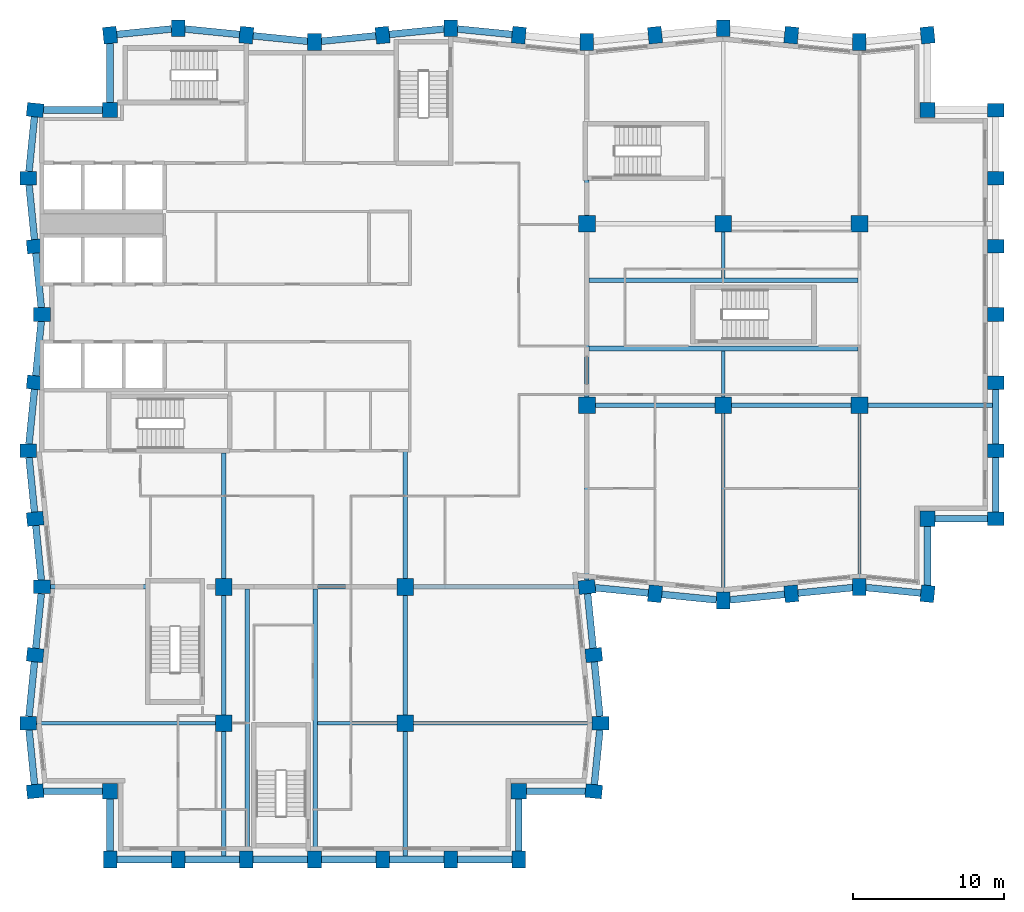
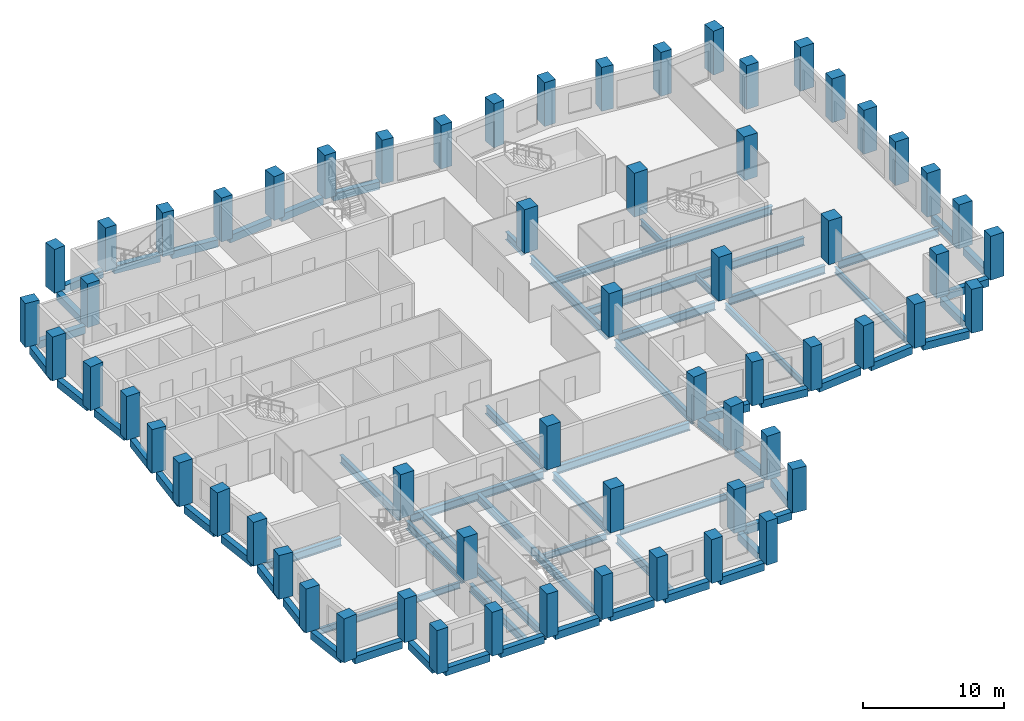
# One storey, part 1 of 10: 66 beams, 62 columns.
"""IFC4 building model written with IfcOpenShell, lengths in metres."""

from ifc_helpers import new_model, si_unit, direction, frame, origin, origin_2d, place, context, subcontext, project, spatial, rectangle, i_section, extrude, material, material_profile, profile_set, type_object, element, save


model = new_model("IFC4")

# Units and contexts
model_context = context("Model", 3, precision=1e-05, world=origin(), true_north=direction((0.0, 1.0)))
body_context = subcontext(model_context, "Body", "Model", "MODEL_VIEW")
ifc_project = project(units=[si_unit("LENGTHUNIT", "METRE"), si_unit("AREAUNIT", "SQUARE_METRE"), si_unit("VOLUMEUNIT", "CUBIC_METRE"), si_unit("PLANEANGLEUNIT", "RADIAN"), si_unit("MASSUNIT", "GRAM", prefix="KILO")], contexts=[model_context])

# Site, building, storey
site_placement = place(None, origin())
site = spatial("IfcSite", under=ifc_project, at=site_placement, CompositionType="ELEMENT")
building_placement = place(site_placement, origin())
building = spatial("IfcBuilding", under=site, at=building_placement, Name="Brondeck Convention Tower", CompositionType="ELEMENT")
storey_placement = place(building_placement, frame((0.0, 0.0, 173.800048828125)))
storey = spatial("IfcBuildingStorey", under=building, at=storey_placement, Name="L42", CompositionType="ELEMENT", Elevation=173.800048828125)

# Columns
ifc_material_1 = material(Name="Concrete C70/85", Category="concrete")
ifc_material_profile_1 = material_profile(ifc_material_1, rectangle(XDim=1.0, YDim=1.0, at=origin_2d()), Name="Corner column 1000x1000 Concrete C70/85")
ifc_profile_set_1 = profile_set([ifc_material_profile_1], Name="Concrete C70/85")
column_type_1 = type_object("IfcColumnType", Name="Corner column 1000x1000 Concrete C70/85", PredefinedType="COLUMN", material=ifc_profile_set_1)
for number, where, z_axis, x_axis, name in (
    (1, (4.5, 13.5, 0.0), (0.0, 0.0, 1.0), (1.0, 0.0, 0.0), "STR-COL-L42-NC-SWB9"),
    (2, (31.5, 13.5, 0.0), (0.0, 0.0, 1.0), (1.0, 0.0, 0.0), "STR-COL-L42-NC-SEB9"),
    (3, (58.5, 31.5, 0.0), (0.0, 0.0, 1.0), (1.0, 0.0, 0.0), "STR-COL-L42-NC-SEA63"),
    (4, (58.5, 58.5, 0.0), (0.0, 0.0, 1.0), (1.0, 0.0, 0.0), "STR-COL-L42-NC-NEA63"),
    (5, (4.5, 58.5, 0.0), (0.0, 0.0, 1.0), (1.0, 0.0, 0.0), "STR-COL-L42-NC-NW"),
):
    element("IfcColumn", number, at=place(storey_placement, frame(where, z_axis=z_axis, x_axis=x_axis)), inside=storey, type_object=column_type_1, Name=name, PredefinedType="COLUMN", context=body_context, shape_type="SweptSolid", body=[
        extrude(rectangle(XDim=1.0, YDim=1.0, at=origin_2d()), origin(), (0.0, 0.0, 1.0), 3.800048828125),
    ])
ifc_material_profile_2 = material_profile(ifc_material_1, rectangle(XDim=1.10009765625, YDim=1.10009765625, at=origin_2d()), Name="Interior column 1100x1100 Concrete C70/85")
ifc_profile_set_2 = profile_set([ifc_material_profile_2], Name="Concrete C70/85")
column_type_2 = type_object("IfcColumnType", Name="Interior column 1100x1100 Concrete C70/85", PredefinedType="COLUMN", material=ifc_profile_set_2)
for number, where, z_axis, x_axis, name in (
    (6, (12.0, 18.0, 0.0), (0.0, 0.0, 1.0), (1.0, 0.0, 0.0), "STR-COL-L42-IC-02"),
    (7, (12.0, 27.0, 0.0), (0.0, 0.0, 1.0), (1.0, 0.0, 0.0), "STR-COL-L42-IC-03"),
    (8, (24.0, 18.0, 0.0), (0.0, 0.0, 1.0), (1.0, 0.0, 0.0), "STR-COL-L42-IC-05"),
    (9, (24.0, 27.0, 0.0), (0.0, 0.0, 1.0), (1.0, 0.0, 0.0), "STR-COL-L42-IC-06"),
    (10, (36.0, 39.0, 0.0), (0.0, 0.0, 1.0), (1.0, 0.0, 0.0), "STR-COL-L42-IC-07"),
    (11, (36.0, 51.0, 0.0), (0.0, 0.0, 1.0), (1.0, 0.0, 0.0), "STR-COL-L42-IC-08"),
    (12, (45.0, 39.0, 0.0), (0.0, 0.0, 1.0), (1.0, 0.0, 0.0), "STR-COL-L42-IC-09"),
    (13, (45.0, 51.0, 0.0), (0.0, 0.0, 1.0), (1.0, 0.0, 0.0), "STR-COL-L42-IC-10"),
    (14, (54.0, 39.0, 0.0), (0.0, 0.0, 1.0), (1.0, 0.0, 0.0), "STR-COL-L42-IC-11"),
    (15, (54.0, 51.0, 0.0), (0.0, 0.0, 1.0), (1.0, 0.0, 0.0), "STR-COL-L42-IC-12"),
):
    element("IfcColumn", number, at=place(storey_placement, frame(where, z_axis=z_axis, x_axis=x_axis)), inside=storey, type_object=column_type_2, Name=name, PredefinedType="COLUMN", context=body_context, shape_type="SweptSolid", body=[
        extrude(rectangle(XDim=1.10009765625, YDim=1.10009765625, at=origin_2d()), origin(), (0.0, 0.0, 1.0), 3.800048828125),
    ])
ifc_material_profile_3 = material_profile(ifc_material_1, rectangle(XDim=0.89990234375, YDim=1.10009765625, at=origin_2d()), Name="Perimeter pier 900x1100 Concrete C70/85")
ifc_profile_set_3 = profile_set([ifc_material_profile_3], Name="Concrete C70/85")
column_type_3 = type_object("IfcColumnType", Name="Perimeter pier 900x1100 Concrete C70/85", PredefinedType="COLUMN", material=ifc_profile_set_3)
for number, where, z_axis, x_axis, name in (
    (16, (4.5, 9.0, 0.0), (0.0, 0.0, 1.0), (1.0, 0.0, 0.0), "STR-COL-L42-PC-B-S9-01"),
    (17, (9.0, 9.0, 0.0), (0.0, 0.0, 1.0), (1.0, 0.0, 0.0), "STR-COL-L42-PC-B-S9-02"),
    (18, (13.5, 9.0, 0.0), (0.0, 0.0, 1.0), (1.0, 0.0, 0.0), "STR-COL-L42-PC-B-S9-03"),
    (19, (18.0, 9.0, 0.0), (0.0, 0.0, 1.0), (1.0, 0.0, 0.0), "STR-COL-L42-PC-B-S9-04"),
    (20, (22.5, 9.0, 0.0), (0.0, 0.0, 1.0), (1.0, 0.0, 0.0), "STR-COL-L42-PC-B-S9-05"),
    (21, (27.0, 9.0, 0.0), (0.0, 0.0, 1.0), (1.0, 0.0, 0.0), "STR-COL-L42-PC-B-S9-06"),
    (22, (31.5, 9.0, 0.0), (0.0, 0.0, 1.0), (1.0, 0.0, 0.0), "STR-COL-L42-PC-B-S9-07"),
    (23, (36.449951171875, 13.5, 0.0), (0.0, 0.0, 1.0), (0.0995038382, 0.995037178292, 0.0), "STR-COL-L42-PC-B-E-03"),
    (24, (36.89990234375, 18.0, 0.0), (0.0, 0.0, 1.0), (0.0, 1.0, 0.0), "STR-COL-L42-PC-B-E-02"),
    (25, (36.449951171875, 22.5, 0.0), (0.0, 0.0, 1.0), (-0.0995038382, 0.995037178292, 0.0), "STR-COL-L42-PC-B-E-01"),
    (26, (36.0, 27.0, 0.0), (0.0, 0.0, 1.0), (-0.0995038382, 0.995037178292, 0.0), "STR-COL-L42-PC-B-E-00"),
    (27, (40.5, 26.550048828125, 0.0), (0.0, 0.0, 1.0), (0.995037178292, -0.0995038382, 0.0), "STR-COL-L42-PC-A-S-01"),
    (28, (45.0, 26.10009765625, 0.0), (0.0, 0.0, 1.0), (1.0, 0.0, 0.0), "STR-COL-L42-PC-A-S-02"),
    (29, (49.5, 26.550048828125, 0.0), (0.0, 0.0, 1.0), (0.995037178292, 0.0995038382, 0.0), "STR-COL-L42-PC-A-S-03"),
    (30, (54.0, 27.0, 0.0), (0.0, 0.0, 1.0), (1.0, 0.0, 0.0), "STR-COL-L42-PC-A-S-04"),
    (31, (58.5, 26.550048828125, 0.0), (0.0, 0.0, 1.0), (0.995037178292, -0.0995038382, 0.0), "STR-COL-L42-PC-A-S-05"),
    (32, (63.0, 31.5, 0.0), (0.0, 0.0, 1.0), (0.0, 1.0, 0.0), "STR-COL-L42-PC-A-E63-01"),
    (33, (63.0, 36.0, 0.0), (0.0, 0.0, 1.0), (0.0, 1.0, 0.0), "STR-COL-L42-PC-A-E63-02"),
    (34, (63.0, 40.5, 0.0), (0.0, 0.0, 1.0), (0.0, 1.0, 0.0), "STR-COL-L42-PC-A-E63-03"),
    (35, (63.0, 45.0, 0.0), (0.0, 0.0, 1.0), (0.0, 1.0, 0.0), "STR-COL-L42-PC-A-E63-04"),
    (36, (63.0, 49.5, 0.0), (0.0, 0.0, 1.0), (0.0, 1.0, 0.0), "STR-COL-L42-PC-A-E63-05"),
    (37, (63.0, 54.0, 0.0), (0.0, 0.0, 1.0), (0.0, 1.0, 0.0), "STR-COL-L42-PC-A-E63-06"),
    (38, (63.0, 58.5, 0.0), (0.0, 0.0, 1.0), (0.0, 1.0, 0.0), "STR-COL-L42-PC-A-E63-07"),
    (39, (58.5, 63.449951171875, 0.0), (0.0, 0.0, 1.0), (-0.995037178292, -0.0995038382, 0.0), "STR-COL-L42-PC-A-N-13"),
    (40, (54.0, 63.0, 0.0), (0.0, 0.0, 1.0), (-1.0, 0.0, 0.0), "STR-COL-L42-PC-A-N-12"),
    (41, (49.5, 63.449951171875, 0.0), (0.0, 0.0, 1.0), (-0.995037178292, 0.0995038382, 0.0), "STR-COL-L42-PC-A-N-11"),
    (42, (45.0, 63.89990234375, 0.0), (0.0, 0.0, 1.0), (-1.0, 0.0, 0.0), "STR-COL-L42-PC-A-N-10"),
    (43, (40.5, 63.449951171875, 0.0), (0.0, 0.0, 1.0), (-0.995037178292, -0.0995038382, 0.0), "STR-COL-L42-PC-A-N-09"),
    (44, (36.0, 63.0, 0.0), (0.0, 0.0, 1.0), (-1.0, 0.0, 0.0), "STR-COL-L42-PC-A-N-08"),
    (45, (31.5, 63.449951171875, 0.0), (0.0, 0.0, 1.0), (-0.995037178292, 0.0995038382, 0.0), "STR-COL-L42-PC-A-N-07"),
    (46, (27.0, 63.89990234375, 0.0), (0.0, 0.0, 1.0), (-1.0, 0.0, 0.0), "STR-COL-L42-PC-A-N-06"),
    (47, (22.5, 63.449951171875, 0.0), (0.0, 0.0, 1.0), (-0.995037178292, -0.0995038382, 0.0), "STR-COL-L42-PC-A-N-05"),
    (48, (18.0, 63.0, 0.0), (0.0, 0.0, 1.0), (-1.0, 0.0, 0.0), "STR-COL-L42-PC-A-N-04"),
    (49, (13.5, 63.449951171875, 0.0), (0.0, 0.0, 1.0), (-0.995037178292, 0.0995038382, 0.0), "STR-COL-L42-PC-A-N-03"),
    (50, (9.0, 63.89990234375, 0.0), (0.0, 0.0, 1.0), (-1.0, 0.0, 0.0), "STR-COL-L42-PC-A-N-02"),
    (51, (4.5, 63.449951171875, 0.0), (0.0, 0.0, 1.0), (-0.995037178292, -0.0995038382, 0.0), "STR-COL-L42-PC-A-N-01"),
    (52, (-0.449951171875, 58.5, 0.0), (0.0, 0.0, 1.0), (-0.0995038382, -0.995037178292, 0.0), "STR-COL-L42-PC-B-W-01"),
    (53, (-0.89990234375, 54.0, 0.0), (0.0, 0.0, 1.0), (0.0, -1.0, 0.0), "STR-COL-L42-PC-B-W-02"),
    (54, (-0.449951171875, 49.5, 0.0), (0.0, 0.0, 1.0), (0.0995038382, -0.995037178292, 0.0), "STR-COL-L42-PC-B-W-03"),
    (55, (0.0, 45.0, 0.0), (0.0, 0.0, 1.0), (0.0, -1.0, 0.0), "STR-COL-L42-PC-B-W-04"),
    (56, (-0.449951171875, 40.5, 0.0), (0.0, 0.0, 1.0), (-0.0995038382, -0.995037178292, 0.0), "STR-COL-L42-PC-B-W-05"),
    (57, (-0.89990234375, 36.0, 0.0), (0.0, 0.0, 1.0), (0.0, -1.0, 0.0), "STR-COL-L42-PC-B-W-06"),
    (58, (-0.449951171875, 31.5, 0.0), (0.0, 0.0, 1.0), (0.0995038382, -0.995037178292, 0.0), "STR-COL-L42-PC-B-W-07"),
    (59, (0.0, 27.0, 0.0), (0.0, 0.0, 1.0), (0.0, -1.0, 0.0), "STR-COL-L42-PC-B-W-08"),
    (60, (-0.449951171875, 22.5, 0.0), (0.0, 0.0, 1.0), (-0.0995038382, -0.995037178292, 0.0), "STR-COL-L42-PC-B-W-09"),
    (61, (-0.89990234375, 18.0, 0.0), (0.0, 0.0, 1.0), (0.0, -1.0, 0.0), "STR-COL-L42-PC-B-W-10"),
    (62, (-0.449951171875, 13.5, 0.0), (0.0, 0.0, 1.0), (0.0995038382, -0.995037178292, 0.0), "STR-COL-L42-PC-B-W-11"),
):
    element("IfcColumn", number, at=place(storey_placement, frame(where, z_axis=z_axis, x_axis=x_axis)), inside=storey, type_object=column_type_3, Name=name, PredefinedType="COLUMN", context=body_context, shape_type="SweptSolid", body=[
        extrude(rectangle(XDim=0.89990234375, YDim=1.10009765625, at=origin_2d()), origin(), (0.0, 0.0, 1.0), 3.800048828125),
    ])

# Beams
ifc_material_2 = material(Name="Steel S355", Category="steel")
ifc_material_profile_4 = material_profile(ifc_material_2, i_section(OverallWidth=0.2099609375, OverallDepth=0.550048828125, WebThickness=0.010986328125, FlangeThickness=0.01708984375, FilletRadius=0.02392578125, at=origin_2d()), Name="IPE 550")
ifc_profile_set_4 = profile_set([ifc_material_profile_4], Name="Steel S355")
beam_type_1 = type_object("IfcBeamType", Name="Floor beam IPE 550", PredefinedType="BEAM", material=ifc_profile_set_4)
beam_1_placement = place(storey_placement, frame((45.0, 26.64990234375, -0.574951171875), z_axis=(0.0, 1.0, 0.0), x_axis=(-1.0, 0.0, 0.0)))
element("IfcBeam", 63, at=beam_1_placement, inside=storey, type_object=beam_type_1, Name="STR-FB-L42-001", PredefinedType="BEAM", context=body_context, shape_type="SweptSolid", body=[
    extrude(i_section(OverallWidth=0.2099609375, OverallDepth=0.550048828125, WebThickness=0.010986328125, FlangeThickness=0.01708984375, FilletRadius=0.02392578125, at=origin_2d()), origin(), (0.0, 0.0, 1.0), 11.800048828125),
])
beam_2_placement = place(storey_placement, frame((54.0, 27.550048828125, -0.574951171875), z_axis=(0.0, 1.0, 0.0), x_axis=(-1.0, 0.0, 0.0)))
element("IfcBeam", 64, at=beam_2_placement, inside=storey, type_object=beam_type_1, Name="STR-FB-L42-003", PredefinedType="BEAM", context=body_context, shape_type="SweptSolid", body=[
    extrude(i_section(OverallWidth=0.2099609375, OverallDepth=0.550048828125, WebThickness=0.010986328125, FlangeThickness=0.01708984375, FilletRadius=0.02392578125, at=origin_2d()), origin(), (0.0, 0.0, 1.0), 10.89990234375),
])
for number, where, z_axis, x_axis, name in (
    (65, (-0.35009765625, 18.0, -0.574951171875), (1.0, 0.0, 0.0), (0.0, 1.0, 0.0), "STR-FB-L42-006"),
    (66, (24.550048828125, 18.0, -0.574951171875), (1.0, 0.0, 0.0), (0.0, 1.0, 0.0), "STR-FB-L42-007"),
):
    element("IfcBeam", number, at=place(storey_placement, frame(where, z_axis=z_axis, x_axis=x_axis)), inside=storey, type_object=beam_type_1, Name=name, PredefinedType="BEAM", context=body_context, shape_type="SweptSolid", body=[
        extrude(i_section(OverallWidth=0.2099609375, OverallDepth=0.550048828125, WebThickness=0.010986328125, FlangeThickness=0.01708984375, FilletRadius=0.02392578125, at=origin_2d()), origin(), (0.0, 0.0, 1.0), 11.800048828125),
    ])
for number, where, z_axis, x_axis, name in (
    (67, (45.0, 39.550048828125, -0.574951171875), (0.0, 1.0, 0.0), (-1.0, 0.0, 0.0), "STR-FB-L42-008"),
    (68, (45.0, 47.39990234375, -0.574951171875), (0.0, 1.0, 0.0), (-1.0, 0.0, 0.0), "STR-FB-L42-009"),
):
    element("IfcBeam", number, at=place(storey_placement, frame(where, z_axis=z_axis, x_axis=x_axis)), inside=storey, type_object=beam_type_1, Name=name, PredefinedType="BEAM", context=body_context, shape_type="SweptSolid", body=[
        extrude(i_section(OverallWidth=0.2099609375, OverallDepth=0.550048828125, WebThickness=0.010986328125, FlangeThickness=0.01708984375, FilletRadius=0.02392578125, at=origin_2d()), origin(), (0.0, 0.0, 1.0), 3.050048828125),
    ])
beam_3_placement = place(storey_placement, frame((18.199951171875, 18.0, -0.574951171875), z_axis=(1.0, 0.0, 0.0), x_axis=(0.0, 1.0, 0.0)))
element("IfcBeam", 69, at=beam_3_placement, inside=storey, type_object=beam_type_1, Name="STR-FB-L42-010", PredefinedType="BEAM", context=body_context, shape_type="SweptSolid", body=[
    extrude(i_section(OverallWidth=0.2099609375, OverallDepth=0.550048828125, WebThickness=0.010986328125, FlangeThickness=0.01708984375, FilletRadius=0.02392578125, at=origin_2d()), origin(), (0.0, 0.0, 1.0), 5.25),
])
ifc_material_profile_5 = material_profile(ifc_material_2, i_section(OverallWidth=0.300048828125, OverallDepth=0.699951171875, WebThickness=0.01708984375, FlangeThickness=0.031982421875, FilletRadius=0.027099609375, at=origin_2d()), Name="HEB 700")
ifc_profile_set_5 = profile_set([ifc_material_profile_5], Name="Steel S355")
beam_type_2 = type_object("IfcBeamType", Name="Girder HEB 700", PredefinedType="BEAM", material=ifc_profile_set_5)
for number, where, z_axis, x_axis, name in (
    (70, (36.550048828125, 39.0, -0.650146484375), (1.0, 0.0, 0.0), (0.0, 1.0, 0.0), "STR-GR-L42-001"),
    (71, (45.550048828125, 39.0, -0.650146484375), (1.0, 0.0, 0.0), (0.0, 1.0, 0.0), "STR-GR-L42-002"),
):
    element("IfcBeam", number, at=place(storey_placement, frame(where, z_axis=z_axis, x_axis=x_axis)), inside=storey, type_object=beam_type_2, Name=name, PredefinedType="BEAM", context=body_context, shape_type="SweptSolid", body=[
        extrude(i_section(OverallWidth=0.300048828125, OverallDepth=0.699951171875, WebThickness=0.01708984375, FlangeThickness=0.031982421875, FilletRadius=0.027099609375, at=origin_2d()), origin(), (0.0, 0.0, 1.0), 7.89990234375),
    ])
beam_4_placement = place(storey_placement, frame((54.550048828125, 39.0, -0.650146484375), z_axis=(1.0, 0.0, 0.0), x_axis=(0.0, 1.0, 0.0)))
element("IfcBeam", 72, at=beam_4_placement, inside=storey, type_object=beam_type_2, Name="STR-GR-L42-003", PredefinedType="BEAM", context=body_context, shape_type="SweptSolid", body=[
    extrude(i_section(OverallWidth=0.300048828125, OverallDepth=0.699951171875, WebThickness=0.01708984375, FlangeThickness=0.031982421875, FilletRadius=0.027099609375, at=origin_2d()), origin(), (0.0, 0.0, 1.0), 8.224853515625),
])
beam_5_placement = place(storey_placement, frame((36.0, 27.4521484375, -0.650146484375), z_axis=(0.0, 1.0, 0.0), x_axis=(-1.0, 0.0, 0.0)))
element("IfcBeam", 73, at=beam_5_placement, inside=storey, type_object=beam_type_2, Name="STR-GR-L42-007", PredefinedType="BEAM", context=body_context, shape_type="SweptSolid", body=[
    extrude(i_section(OverallWidth=0.300048828125, OverallDepth=0.699951171875, WebThickness=0.01708984375, FlangeThickness=0.031982421875, FilletRadius=0.027099609375, at=origin_2d()), origin(), (0.0, 0.0, 1.0), 10.997802734375),
])
beam_6_placement = place(storey_placement, frame((36.0, 39.550048828125, -0.650146484375), z_axis=(0.0, 1.0, 0.0), x_axis=(-1.0, 0.0, 0.0)))
element("IfcBeam", 74, at=beam_6_placement, inside=storey, type_object=beam_type_2, Name="STR-GR-L42-008", PredefinedType="BEAM", context=body_context, shape_type="SweptSolid", body=[
    extrude(i_section(OverallWidth=0.300048828125, OverallDepth=0.699951171875, WebThickness=0.01708984375, FlangeThickness=0.031982421875, FilletRadius=0.027099609375, at=origin_2d()), origin(), (0.0, 0.0, 1.0), 10.89990234375),
])
beam_7_placement = place(storey_placement, frame((36.0, 51.550048828125, -0.650146484375), z_axis=(0.0, 1.0, 0.0), x_axis=(-1.0, 0.0, 0.0)))
element("IfcBeam", 75, at=beam_7_placement, inside=storey, type_object=beam_type_2, Name="STR-GR-L42-009", PredefinedType="BEAM", context=body_context, shape_type="SweptSolid", body=[
    extrude(i_section(OverallWidth=0.300048828125, OverallDepth=0.699951171875, WebThickness=0.01708984375, FlangeThickness=0.031982421875, FilletRadius=0.027099609375, at=origin_2d()), origin(), (0.0, 0.0, 1.0), 2.329833984375),
])
beam_8_placement = place(storey_placement, frame((12.0, 35.85009765625, -0.650146484375), z_axis=(0.0, -1.0, 0.0), x_axis=(1.0, 0.0, 0.0)))
element("IfcBeam", 76, at=beam_8_placement, inside=storey, type_object=beam_type_2, Name="STR-GR-L42-011", PredefinedType="BEAM", context=body_context, shape_type="SweptSolid", body=[
    extrude(i_section(OverallWidth=0.300048828125, OverallDepth=0.699951171875, WebThickness=0.01708984375, FlangeThickness=0.031982421875, FilletRadius=0.027099609375, at=origin_2d()), origin(), (0.0, 0.0, 1.0), 8.300048828125),
])
beam_9_placement = place(storey_placement, frame((12.0, 26.449951171875, -0.650146484375), z_axis=(0.0, -1.0, 0.0), x_axis=(1.0, 0.0, 0.0)))
element("IfcBeam", 77, at=beam_9_placement, inside=storey, type_object=beam_type_2, Name="STR-GR-L42-012", PredefinedType="BEAM", context=body_context, shape_type="SweptSolid", body=[
    extrude(i_section(OverallWidth=0.300048828125, OverallDepth=0.699951171875, WebThickness=0.01708984375, FlangeThickness=0.031982421875, FilletRadius=0.027099609375, at=origin_2d()), origin(), (0.0, 0.0, 1.0), 7.89990234375),
])
beam_10_placement = place(storey_placement, frame((12.0, 17.449951171875, -0.650146484375), z_axis=(0.0, -1.0, 0.0), x_axis=(1.0, 0.0, 0.0)))
element("IfcBeam", 78, at=beam_10_placement, inside=storey, type_object=beam_type_2, Name="STR-GR-L42-013", PredefinedType="BEAM", context=body_context, shape_type="SweptSolid", body=[
    extrude(i_section(OverallWidth=0.300048828125, OverallDepth=0.699951171875, WebThickness=0.01708984375, FlangeThickness=0.031982421875, FilletRadius=0.027099609375, at=origin_2d()), origin(), (0.0, 0.0, 1.0), 8.224853515625),
])
beam_11_placement = place(storey_placement, frame((24.0, 35.955078125, -0.650146484375), z_axis=(0.0, -1.0, 0.0), x_axis=(1.0, 0.0, 0.0)))
element("IfcBeam", 79, at=beam_11_placement, inside=storey, type_object=beam_type_2, Name="STR-GR-L42-014", PredefinedType="BEAM", context=body_context, shape_type="SweptSolid", body=[
    extrude(i_section(OverallWidth=0.300048828125, OverallDepth=0.699951171875, WebThickness=0.01708984375, FlangeThickness=0.031982421875, FilletRadius=0.027099609375, at=origin_2d()), origin(), (0.0, 0.0, 1.0), 8.405029296875),
])
beam_12_placement = place(storey_placement, frame((24.0, 26.449951171875, -0.650146484375), z_axis=(0.0, -1.0, 0.0), x_axis=(1.0, 0.0, 0.0)))
element("IfcBeam", 80, at=beam_12_placement, inside=storey, type_object=beam_type_2, Name="STR-GR-L42-015", PredefinedType="BEAM", context=body_context, shape_type="SweptSolid", body=[
    extrude(i_section(OverallWidth=0.300048828125, OverallDepth=0.699951171875, WebThickness=0.01708984375, FlangeThickness=0.031982421875, FilletRadius=0.027099609375, at=origin_2d()), origin(), (0.0, 0.0, 1.0), 7.89990234375),
])
beam_13_placement = place(storey_placement, frame((24.0, 17.449951171875, -0.650146484375), z_axis=(0.0, -1.0, 0.0), x_axis=(1.0, 0.0, 0.0)))
element("IfcBeam", 81, at=beam_13_placement, inside=storey, type_object=beam_type_2, Name="STR-GR-L42-016", PredefinedType="BEAM", context=body_context, shape_type="SweptSolid", body=[
    extrude(i_section(OverallWidth=0.300048828125, OverallDepth=0.699951171875, WebThickness=0.01708984375, FlangeThickness=0.031982421875, FilletRadius=0.027099609375, at=origin_2d()), origin(), (0.0, 0.0, 1.0), 8.224853515625),
])
beam_14_placement = place(storey_placement, frame((0.550048828125, 27.0, -0.650146484375), z_axis=(1.0, 0.0, 0.0), x_axis=(0.0, 1.0, 0.0)))
element("IfcBeam", 82, at=beam_14_placement, inside=storey, type_object=beam_type_2, Name="STR-GR-L42-017", PredefinedType="BEAM", context=body_context, shape_type="SweptSolid", body=[
    extrude(i_section(OverallWidth=0.300048828125, OverallDepth=0.699951171875, WebThickness=0.01708984375, FlangeThickness=0.031982421875, FilletRadius=0.027099609375, at=origin_2d()), origin(), (0.0, 0.0, 1.0), 6.329833984375),
])
beam_15_placement = place(storey_placement, frame((12.550048828125, 27.0, -0.650146484375), z_axis=(1.0, 0.0, 0.0), x_axis=(0.0, 1.0, 0.0)))
element("IfcBeam", 83, at=beam_15_placement, inside=storey, type_object=beam_type_2, Name="STR-GR-L42-018", PredefinedType="BEAM", context=body_context, shape_type="SweptSolid", body=[
    extrude(i_section(OverallWidth=0.300048828125, OverallDepth=0.699951171875, WebThickness=0.01708984375, FlangeThickness=0.031982421875, FilletRadius=0.027099609375, at=origin_2d()), origin(), (0.0, 0.0, 1.0), 10.89990234375),
])
beam_16_placement = place(storey_placement, frame((24.550048828125, 27.0, -0.650146484375), z_axis=(1.0, 0.0, 0.0), x_axis=(0.0, 1.0, 0.0)))
element("IfcBeam", 84, at=beam_16_placement, inside=storey, type_object=beam_type_2, Name="STR-GR-L42-019", PredefinedType="BEAM", context=body_context, shape_type="SweptSolid", body=[
    extrude(i_section(OverallWidth=0.300048828125, OverallDepth=0.699951171875, WebThickness=0.01708984375, FlangeThickness=0.031982421875, FilletRadius=0.027099609375, at=origin_2d()), origin(), (0.0, 0.0, 1.0), 10.897216796875),
])
for number, where, z_axis, x_axis, name in (
    (85, (36.14990234375, 42.75, -0.650146484375), (1.0, 0.0, 0.0), (0.0, 1.0, 0.0), "STR-GR-L42-020"),
    (86, (36.14990234375, 47.25, -0.650146484375), (1.0, 0.0, 0.0), (0.0, 1.0, 0.0), "STR-GR-L42-021"),
):
    element("IfcBeam", number, at=place(storey_placement, frame(where, z_axis=z_axis, x_axis=x_axis)), inside=storey, type_object=beam_type_2, Name=name, PredefinedType="BEAM", context=body_context, shape_type="SweptSolid", body=[
        extrude(i_section(OverallWidth=0.300048828125, OverallDepth=0.699951171875, WebThickness=0.01708984375, FlangeThickness=0.031982421875, FilletRadius=0.027099609375, at=origin_2d()), origin(), (0.0, 0.0, 1.0), 17.7451171875),
    ])
for number, where, z_axis, x_axis, name in (
    (87, (13.550048828125, 9.550048828125, -0.650146484375), (0.0, 1.0, 0.0), (-1.0, 0.0, 0.0), "STR-GR-L42-022"),
    (88, (18.050048828125, 9.550048828125, -0.650146484375), (0.0, 1.0, 0.0), (-1.0, 0.0, 0.0), "STR-GR-L42-023"),
):
    element("IfcBeam", number, at=place(storey_placement, frame(where, z_axis=z_axis, x_axis=x_axis)), inside=storey, type_object=beam_type_2, Name=name, PredefinedType="BEAM", context=body_context, shape_type="SweptSolid", body=[
        extrude(i_section(OverallWidth=0.300048828125, OverallDepth=0.699951171875, WebThickness=0.01708984375, FlangeThickness=0.031982421875, FilletRadius=0.027099609375, at=origin_2d()), origin(), (0.0, 0.0, 1.0), 17.300048828125),
    ])
ifc_material_profile_6 = material_profile(ifc_material_1, rectangle(XDim=0.449951171875, YDim=0.64990234375, at=origin_2d()), Name="Precast spandrel 450x650 Concrete C70/85")
ifc_profile_set_6 = profile_set([ifc_material_profile_6], Name="Concrete C70/85")
beam_type_3 = type_object("IfcBeamType", Name="Precast spandrel 450x650 Concrete C70/85", PredefinedType="SPANDREL", material=ifc_profile_set_6)
for number, where, z_axis, x_axis, name in (
    (89, (4.949951171875, 9.0, -0.324951171875), (1.0, 0.0, 0.0), (0.0, 1.0, 0.0), "STR-SP-L42-001"),
    (90, (9.449951171875, 9.0, -0.324951171875), (1.0, 0.0, 0.0), (0.0, 1.0, 0.0), "STR-SP-L42-002"),
    (91, (13.949951171875, 9.0, -0.324951171875), (1.0, 0.0, 0.0), (0.0, 1.0, 0.0), "STR-SP-L42-003"),
    (92, (18.449951171875, 9.0, -0.324951171875), (1.0, 0.0, 0.0), (0.0, 1.0, 0.0), "STR-SP-L42-004"),
    (93, (22.949951171875, 9.0, -0.324951171875), (1.0, 0.0, 0.0), (0.0, 1.0, 0.0), "STR-SP-L42-005"),
    (94, (27.449951171875, 9.0, -0.324951171875), (1.0, 0.0, 0.0), (0.0, 1.0, 0.0), "STR-SP-L42-006"),
):
    element("IfcBeam", number, at=place(storey_placement, frame(where, z_axis=z_axis, x_axis=x_axis)), inside=storey, type_object=beam_type_3, Name=name, PredefinedType="SPANDREL", context=body_context, shape_type="SweptSolid", body=[
        extrude(rectangle(XDim=0.449951171875, YDim=0.64990234375, at=origin_2d()), origin(), (0.0, 0.0, 1.0), 3.60009765625),
    ])
beam_17_placement = place(storey_placement, frame((31.5, 9.550048828125, -0.324951171875), z_axis=(0.0, 1.0, 0.0), x_axis=(-1.0, 0.0, 0.0)))
element("IfcBeam", 95, at=beam_17_placement, inside=storey, type_object=beam_type_3, Name="STR-SP-L42-007", PredefinedType="SPANDREL", context=body_context, shape_type="SweptSolid", body=[
    extrude(rectangle(XDim=0.449951171875, YDim=0.64990234375, at=origin_2d()), origin(), (0.0, 0.0, 1.0), 3.449951171875),
])
beam_18_placement = place(storey_placement, frame((32.0, 13.5, -0.324951171875), z_axis=(1.0, 0.0, 0.0), x_axis=(0.0, 1.0, 0.0)))
element("IfcBeam", 96, at=beam_18_placement, inside=storey, type_object=beam_type_3, Name="STR-SP-L42-008", PredefinedType="SPANDREL", context=body_context, shape_type="SweptSolid", body=[
    extrude(rectangle(XDim=0.449951171875, YDim=0.64990234375, at=origin_2d()), origin(), (0.0, 0.0, 1.0), 3.897216796875),
])
for number, where, z_axis, x_axis, name in (
    (97, (36.494873046875, 13.94775390625, -0.324951171875), (0.099470334057, 0.995040528141, 0.0), (-0.995040528141, 0.099470334057, 0.0), "STR-SP-L42-009"),
    (98, (36.85498046875, 18.449951171875, -0.324951171875), (-0.099470334057, 0.995040528141, 0.0), (-0.995040528141, -0.099470334057, 0.0), "STR-SP-L42-010"),
):
    element("IfcBeam", number, at=place(storey_placement, frame(where, z_axis=z_axis, x_axis=x_axis)), inside=storey, type_object=beam_type_3, Name=name, PredefinedType="SPANDREL", context=body_context, shape_type="SweptSolid", body=[
        extrude(rectangle(XDim=0.449951171875, YDim=0.64990234375, at=origin_2d()), origin(), (0.0, 0.0, 1.0), 3.620361328125),
    ])
beam_19_placement = place(storey_placement, frame((36.4052734375, 22.94775390625, -0.324951171875), z_axis=(-0.099543756114, 0.995033185687, 0.0), x_axis=(-0.995033185687, -0.099543756114, 0.0)))
element("IfcBeam", 99, at=beam_19_placement, inside=storey, type_object=beam_type_3, Name="STR-SP-L42-011", PredefinedType="SPANDREL", context=body_context, shape_type="SweptSolid", body=[
    extrude(rectangle(XDim=0.449951171875, YDim=0.64990234375, at=origin_2d()), origin(), (0.0, 0.0, 1.0), 3.62255859375),
])
beam_20_placement = place(storey_placement, frame((36.558349609375, 26.944091796875, -0.324951171875), z_axis=(0.995037878598, -0.099496834901, 0.0), x_axis=(0.099496834901, 0.995037878598, 0.0)))
element("IfcBeam", 100, at=beam_20_placement, inside=storey, type_object=beam_type_3, Name="STR-SP-L42-012", PredefinedType="SPANDREL", context=body_context, shape_type="SweptSolid", body=[
    extrude(rectangle(XDim=0.449951171875, YDim=0.64990234375, at=origin_2d()), origin(), (0.0, 0.0, 1.0), 3.51123046875),
])
for number, where, z_axis, x_axis, name in (
    (101, (40.94775390625, 26.505126953125, -0.324951171875), (0.995040528141, -0.099470334057, 0.0), (0.099470334057, 0.995040528141, 0.0), "STR-SP-L42-013"),
    (102, (45.449951171875, 26.14501953125, -0.324951171875), (0.995040528141, 0.099470334057, 0.0), (-0.099470334057, 0.995040528141, 0.0), "STR-SP-L42-014"),
    (103, (49.94775390625, 26.5947265625, -0.324951171875), (0.995033851182, 0.099537103649, 0.0), (-0.099537103649, 0.995033851182, 0.0), "STR-SP-L42-015"),
    (104, (54.449951171875, 26.955078125, -0.324951171875), (0.995033851182, -0.099537103649, 0.0), (0.099537103649, 0.995033851182, 0.0), "STR-SP-L42-016"),
):
    element("IfcBeam", number, at=place(storey_placement, frame(where, z_axis=z_axis, x_axis=x_axis)), inside=storey, type_object=beam_type_3, Name=name, PredefinedType="SPANDREL", context=body_context, shape_type="SweptSolid", body=[
        extrude(rectangle(XDim=0.449951171875, YDim=0.64990234375, at=origin_2d()), origin(), (0.0, 0.0, 1.0), 3.620361328125),
    ])
beam_21_placement = place(storey_placement, frame((58.5, 27.102783203125, -0.324951171875), z_axis=(0.0, 1.0, 0.0), x_axis=(-1.0, 0.0, 0.0)))
element("IfcBeam", 105, at=beam_21_placement, inside=storey, type_object=beam_type_3, Name="STR-SP-L42-017", PredefinedType="SPANDREL", context=body_context, shape_type="SweptSolid", body=[
    extrude(rectangle(XDim=0.449951171875, YDim=0.64990234375, at=origin_2d()), origin(), (0.0, 0.0, 1.0), 3.897216796875),
])
beam_22_placement = place(storey_placement, frame((59.0, 31.5, -0.324951171875), z_axis=(1.0, 0.0, 0.0), x_axis=(0.0, 1.0, 0.0)))
element("IfcBeam", 106, at=beam_22_placement, inside=storey, type_object=beam_type_3, Name="STR-SP-L42-018", PredefinedType="SPANDREL", context=body_context, shape_type="SweptSolid", body=[
    extrude(rectangle(XDim=0.449951171875, YDim=0.64990234375, at=origin_2d()), origin(), (0.0, 0.0, 1.0), 3.449951171875),
])
for number, where, z_axis, x_axis, name in (
    (107, (63.0, 31.949951171875, -0.324951171875), (0.0, 1.0, 0.0), (-1.0, 0.0, 0.0), "STR-SP-L42-019"),
    (108, (63.0, 36.449951171875, -0.324951171875), (0.0, 1.0, 0.0), (-1.0, 0.0, 0.0), "STR-SP-L42-020"),
):
    element("IfcBeam", number, at=place(storey_placement, frame(where, z_axis=z_axis, x_axis=x_axis)), inside=storey, type_object=beam_type_3, Name=name, PredefinedType="SPANDREL", context=body_context, shape_type="SweptSolid", body=[
        extrude(rectangle(XDim=0.449951171875, YDim=0.64990234375, at=origin_2d()), origin(), (0.0, 0.0, 1.0), 3.60009765625),
    ])
for number, where, z_axis, x_axis, name in (
    (109, (31.05224609375, 63.494873046875, -0.324951171875), (-0.995040528141, 0.099470334057, 0.0), (-0.099470334057, -0.995040528141, 0.0), "STR-SP-L42-033"),
    (110, (26.550048828125, 63.85498046875, -0.324951171875), (-0.995040528141, -0.099470334057, 0.0), (0.099470334057, -0.995040528141, 0.0), "STR-SP-L42-034"),
    (111, (22.05224609375, 63.4052734375, -0.324951171875), (-0.995033851182, -0.099537103649, 0.0), (0.099537103649, -0.995033851182, 0.0), "STR-SP-L42-035"),
    (112, (17.550048828125, 63.044921875, -0.324951171875), (-0.995033851182, 0.099537103649, 0.0), (-0.099537103649, -0.995033851182, 0.0), "STR-SP-L42-036"),
    (113, (13.05224609375, 63.494873046875, -0.324951171875), (-0.995040528141, 0.099470334057, 0.0), (-0.099470334057, -0.995040528141, 0.0), "STR-SP-L42-037"),
    (114, (8.550048828125, 63.85498046875, -0.324951171875), (-0.995040528141, -0.099470334057, 0.0), (0.099470334057, -0.995040528141, 0.0), "STR-SP-L42-038"),
):
    element("IfcBeam", number, at=place(storey_placement, frame(where, z_axis=z_axis, x_axis=x_axis)), inside=storey, type_object=beam_type_3, Name=name, PredefinedType="SPANDREL", context=body_context, shape_type="SweptSolid", body=[
        extrude(rectangle(XDim=0.449951171875, YDim=0.64990234375, at=origin_2d()), origin(), (0.0, 0.0, 1.0), 3.620361328125),
    ])
for number, where, z_axis, x_axis, name in (
    (115, (4.5, 62.897216796875, -0.324951171875), (0.0, -1.0, 0.0), (1.0, 0.0, 0.0), "STR-SP-L42-039"),
    (116, (4.0, 58.5, -0.324951171875), (-1.0, 0.0, 0.0), (0.0, -1.0, 0.0), "STR-SP-L42-040"),
):
    element("IfcBeam", number, at=place(storey_placement, frame(where, z_axis=z_axis, x_axis=x_axis)), inside=storey, type_object=beam_type_3, Name=name, PredefinedType="SPANDREL", context=body_context, shape_type="SweptSolid", body=[
        extrude(rectangle(XDim=0.449951171875, YDim=0.64990234375, at=origin_2d()), origin(), (0.0, 0.0, 1.0), 3.897216796875),
    ])
for number, where, z_axis, x_axis, name in (
    (117, (-0.494873046875, 58.05224609375, -0.324951171875), (-0.099470334057, -0.995040528141, 0.0), (0.995040528141, -0.099470334057, 0.0), "STR-SP-L42-041"),
    (118, (-0.85498046875, 53.550048828125, -0.324951171875), (0.099470334057, -0.995040528141, 0.0), (0.995040528141, 0.099470334057, 0.0), "STR-SP-L42-042"),
    (119, (-0.4052734375, 49.05224609375, -0.324951171875), (0.099537103649, -0.995033851182, 0.0), (0.995033851182, 0.099537103649, 0.0), "STR-SP-L42-043"),
    (120, (-0.044921875, 44.550048828125, -0.324951171875), (-0.099537103649, -0.995033851182, 0.0), (0.995033851182, -0.099537103649, 0.0), "STR-SP-L42-044"),
    (121, (-0.494873046875, 40.05224609375, -0.324951171875), (-0.099470334057, -0.995040528141, 0.0), (0.995040528141, -0.099470334057, 0.0), "STR-SP-L42-045"),
    (122, (-0.85498046875, 35.550048828125, -0.324951171875), (0.099470334057, -0.995040528141, 0.0), (0.995040528141, 0.099470334057, 0.0), "STR-SP-L42-046"),
    (123, (-0.4052734375, 31.05224609375, -0.324951171875), (0.099537103649, -0.995033851182, 0.0), (0.995033851182, 0.099537103649, 0.0), "STR-SP-L42-047"),
    (124, (-0.044921875, 26.550048828125, -0.324951171875), (-0.099537103649, -0.995033851182, 0.0), (0.995033851182, -0.099537103649, 0.0), "STR-SP-L42-048"),
    (125, (-0.494873046875, 22.05224609375, -0.324951171875), (-0.099470334057, -0.995040528141, 0.0), (0.995040528141, -0.099470334057, 0.0), "STR-SP-L42-049"),
    (126, (-0.85498046875, 17.550048828125, -0.324951171875), (0.099470334057, -0.995040528141, 0.0), (0.995040528141, 0.099470334057, 0.0), "STR-SP-L42-050"),
):
    element("IfcBeam", number, at=place(storey_placement, frame(where, z_axis=z_axis, x_axis=x_axis)), inside=storey, type_object=beam_type_3, Name=name, PredefinedType="SPANDREL", context=body_context, shape_type="SweptSolid", body=[
        extrude(rectangle(XDim=0.449951171875, YDim=0.64990234375, at=origin_2d()), origin(), (0.0, 0.0, 1.0), 3.620361328125),
    ])
beam_23_placement = place(storey_placement, frame((0.102783203125, 13.5, -0.324951171875), z_axis=(1.0, 0.0, 0.0), x_axis=(0.0, 1.0, 0.0)))
element("IfcBeam", 127, at=beam_23_placement, inside=storey, type_object=beam_type_3, Name="STR-SP-L42-051", PredefinedType="SPANDREL", context=body_context, shape_type="SweptSolid", body=[
    extrude(rectangle(XDim=0.449951171875, YDim=0.64990234375, at=origin_2d()), origin(), (0.0, 0.0, 1.0), 3.897216796875),
])
beam_24_placement = place(storey_placement, frame((4.5, 13.0, -0.324951171875), z_axis=(0.0, -1.0, 0.0), x_axis=(1.0, 0.0, 0.0)))
element("IfcBeam", 128, at=beam_24_placement, inside=storey, type_object=beam_type_3, Name="STR-SP-L42-052", PredefinedType="SPANDREL", context=body_context, shape_type="SweptSolid", body=[
    extrude(rectangle(XDim=0.449951171875, YDim=0.64990234375, at=origin_2d()), origin(), (0.0, 0.0, 1.0), 3.449951171875),
])

save(model, "model.ifc")
